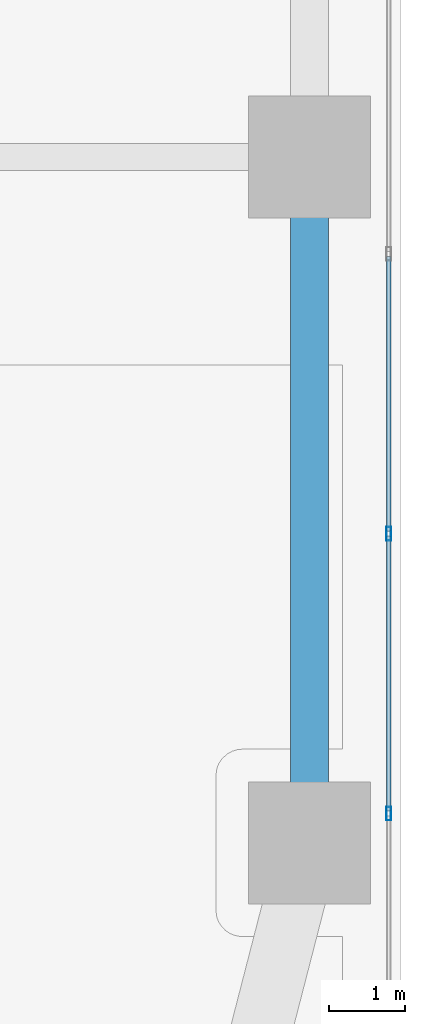
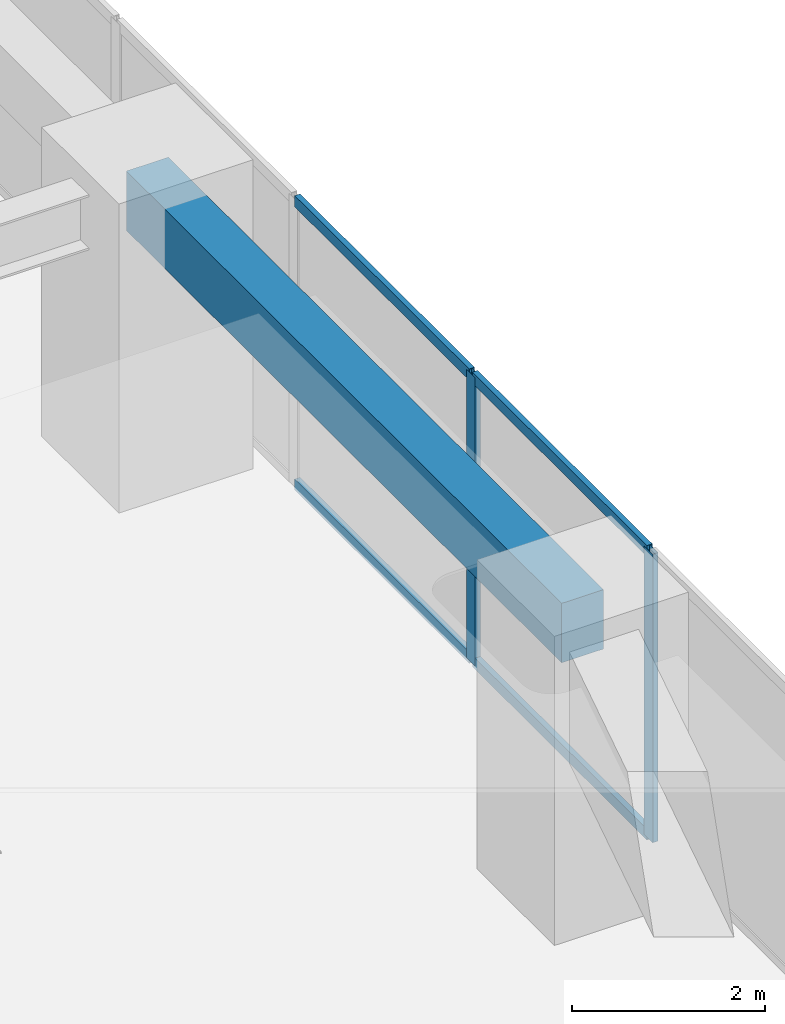
# One storey, part 6 of 28: 6 members, 1 beam, 1 element without a shape of its own.
"""IFC4 building model written with IfcOpenShell, lengths in metres."""

from ifc_helpers import new_model, si_unit, direction, frame, origin, origin_2d, place, context, subcontext, project, spatial, rectangle, hollow_rectangle, extrude, material, layer, layer_set, material_profile, profile_set, type_object, element, aggregate, save


model = new_model("IFC4")

# Units and contexts
model_context = context("Model", 3, precision=1e-05, world=origin(), true_north=direction((0.0, 1.0)))
body_context = subcontext(model_context, "Body", "Model", "MODEL_VIEW")
ifc_project = project(units=[si_unit("LENGTHUNIT", "METRE"), si_unit("AREAUNIT", "SQUARE_METRE"), si_unit("VOLUMEUNIT", "CUBIC_METRE"), si_unit("PLANEANGLEUNIT", "RADIAN"), si_unit("MASSUNIT", "GRAM", prefix="KILO")], contexts=[model_context])

# Site, building, storey
site_placement = place(None, origin())
site = spatial("IfcSite", under=ifc_project, at=site_placement, CompositionType="ELEMENT")
building_placement = place(site_placement, origin())
building = spatial("IfcBuilding", under=site, at=building_placement, Name="Kiyonajd Concourse Tower", CompositionType="ELEMENT")
storey_placement = place(building_placement, frame((0.0, 0.0, 37.199951171875)))
storey = spatial("IfcBuildingStorey", under=building, at=storey_placement, Name="L10", CompositionType="ELEMENT", Elevation=37.199951171875)

# Beam
ifc_material_1 = material(Name="Precast concrete C50/60", Category="concrete")
ifc_material_profile_1 = material_profile(ifc_material_1, rectangle(XDim=0.5, YDim=0.75, at=origin_2d()), Name="RCBM-500x750")
ifc_profile_set_1 = profile_set([ifc_material_profile_1], Name="Precast concrete C50/60")
beam_type = type_object("IfcBeamType", Name="BM-SPAN-RC", PredefinedType="SPANDREL", material=ifc_profile_set_1)
beam_placement = place(storey_placement, frame((78.0, 18.60009765625, 3.26513671875), z_axis=(0.0, 1.0, 0.0), x_axis=(-1.0, 0.0, 0.0)))
element("IfcBeam", 1, at=beam_placement, inside=storey, type_object=beam_type, Name="L10 Perimeter Bundled Tube Spandrel", PredefinedType="SPANDREL", context=body_context, shape_type="SweptSolid", body=[
    extrude(rectangle(XDim=0.5, YDim=0.75, at=origin_2d()), origin(), (0.0, 0.0, 1.0), 9.0),
])

# Curtain wall, members
ifc_material_2 = material(Name="Thermally Broken Anodised Aluminium", Category="aluminium")
ifc_layer = layer(ifc_material_2, 0.179931640625)
ifc_layer_set = layer_set([ifc_layer], Name="Thermally Broken Anodised Aluminium")
curtain_wall_type = type_object("IfcCurtainWallType", Name="CW-SYS-02", PredefinedType="NOTDEFINED", material=ifc_layer_set)
curtain_wall_placement = place(storey_placement, origin())
curtain_wall = element("IfcCurtainWall", 2, at=curtain_wall_placement, inside=storey, type_object=curtain_wall_type, Name="L10 Unitised Curtain Wall CW2", PredefinedType="NOTDEFINED")
ifc_material_profile_2 = material_profile(ifc_material_2, hollow_rectangle(XDim=0.06494140625, YDim=0.179931640625, WallThickness=0.00390625, at=origin_2d()), Name="MULL-65x180")
ifc_profile_set_2 = profile_set([ifc_material_profile_2], Name="Thermally Broken Anodised Aluminium")
member_type_1 = type_object("IfcMemberType", Name="MB-CW-MULL1", PredefinedType="MULLION", material=ifc_profile_set_2)
member_1_placement = place(storey_placement, frame((79.0400390625, 22.657470703125, 0.0), z_axis=(0.0, 0.0, 1.0), x_axis=(1.0, 0.0, 0.0)))
member_1 = element("IfcMember", 3, at=member_1_placement, type_object=member_type_1, Name="CW2 mullion 5", PredefinedType="MULLION", context=body_context, shape_type="SweptSolid", body=[
    extrude(hollow_rectangle(XDim=0.06494140625, YDim=0.179931640625, WallThickness=0.00390625, at=origin_2d()), origin(), (0.0, 0.0, 1.0), 3.64013671875),
])
member_2_placement = place(storey_placement, frame((79.0400390625, 18.984130859375, 0.0), z_axis=(0.0, 0.0, 1.0), x_axis=(1.0, 0.0, 0.0)))
member_2 = element("IfcMember", 4, at=member_2_placement, type_object=member_type_1, Name="CW2 mullion 6", PredefinedType="MULLION", context=body_context, shape_type="SweptSolid", body=[
    extrude(hollow_rectangle(XDim=0.06494140625, YDim=0.179931640625, WallThickness=0.00390625, at=origin_2d()), origin(), (0.0, 0.0, 1.0), 3.64013671875),
])
ifc_material_profile_3 = material_profile(ifc_material_2, hollow_rectangle(XDim=0.06494140625, YDim=0.139892578125, WallThickness=0.00390625, at=origin_2d()), Name="TRAN-65x140")
ifc_profile_set_3 = profile_set([ifc_material_profile_3], Name="Thermally Broken Anodised Aluminium")
member_type_2 = type_object("IfcMemberType", Name="MB-CW-TRAN1", PredefinedType="USERDEFINED", material=ifc_profile_set_3)
member_3_placement = place(storey_placement, frame((79.0400390625, 26.298095703125, 0.032470703125), z_axis=(0.0, -1.0, 0.0), x_axis=(1.0, 0.0, 0.0)))
member_3 = element("IfcMember", 5, at=member_3_placement, type_object=member_type_2, Name="CW2 transom 4.1", ObjectType="TRANSOM", PredefinedType="USERDEFINED", context=body_context, shape_type="SweptSolid", body=[
    extrude(hollow_rectangle(XDim=0.06494140625, YDim=0.139892578125, WallThickness=0.00390625, at=origin_2d()), origin(), (0.0, 0.0, 1.0), 3.608154296875),
])
member_4_placement = place(storey_placement, frame((79.0400390625, 26.298095703125, 3.607666015625), z_axis=(0.0, -1.0, 0.0), x_axis=(1.0, 0.0, 0.0)))
member_4 = element("IfcMember", 6, at=member_4_placement, type_object=member_type_2, Name="CW2 transom 4.2", ObjectType="TRANSOM", PredefinedType="USERDEFINED", context=body_context, shape_type="SweptSolid", body=[
    extrude(hollow_rectangle(XDim=0.06494140625, YDim=0.139892578125, WallThickness=0.00390625, at=origin_2d()), origin(), (0.0, 0.0, 1.0), 3.608154296875),
])
member_5_placement = place(storey_placement, frame((79.0400390625, 22.625, 0.032470703125), z_axis=(0.0, -1.0, 0.0), x_axis=(1.0, 0.0, 0.0)))
member_5 = element("IfcMember", 7, at=member_5_placement, type_object=member_type_2, Name="CW2 transom 5.1", ObjectType="TRANSOM", PredefinedType="USERDEFINED", context=body_context, shape_type="SweptSolid", body=[
    extrude(hollow_rectangle(XDim=0.06494140625, YDim=0.139892578125, WallThickness=0.00390625, at=origin_2d()), origin(), (0.0, 0.0, 1.0), 3.608154296875),
])
member_6_placement = place(storey_placement, frame((79.0400390625, 22.625, 3.607666015625), z_axis=(0.0, -1.0, 0.0), x_axis=(1.0, 0.0, 0.0)))
member_6 = element("IfcMember", 8, at=member_6_placement, type_object=member_type_2, Name="CW2 transom 5.2", ObjectType="TRANSOM", PredefinedType="USERDEFINED", context=body_context, shape_type="SweptSolid", body=[
    extrude(hollow_rectangle(XDim=0.06494140625, YDim=0.139892578125, WallThickness=0.00390625, at=origin_2d()), origin(), (0.0, 0.0, 1.0), 3.608154296875),
])
aggregate(curtain_wall, [member_1, member_2, member_3, member_4, member_5, member_6])

save(model, "model.ifc")
